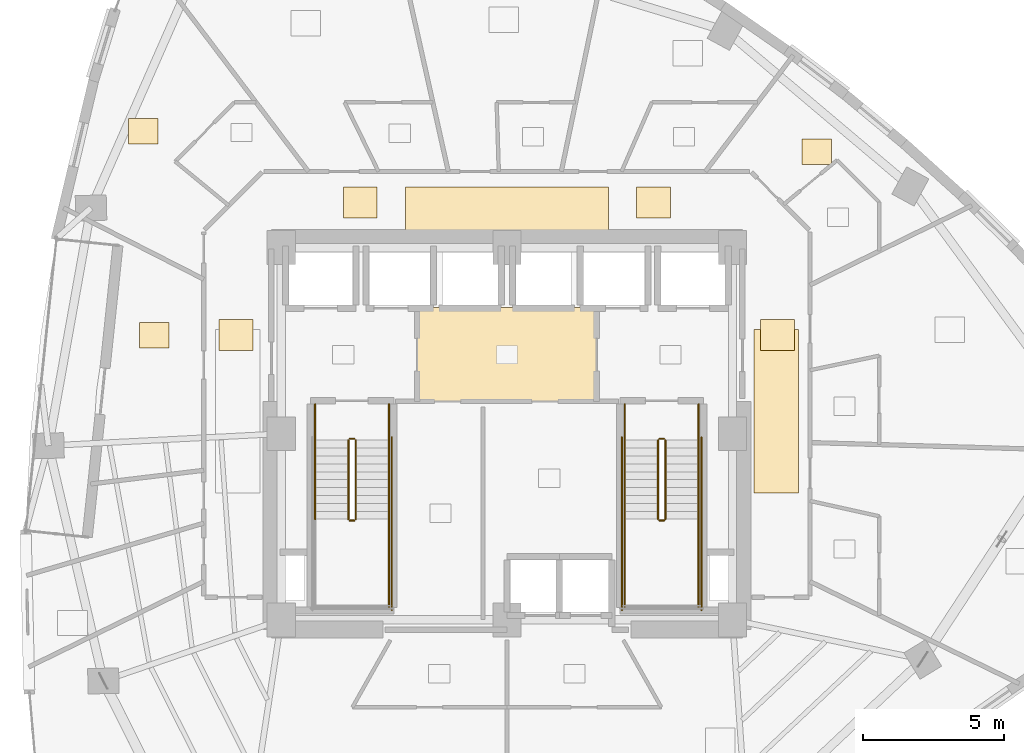
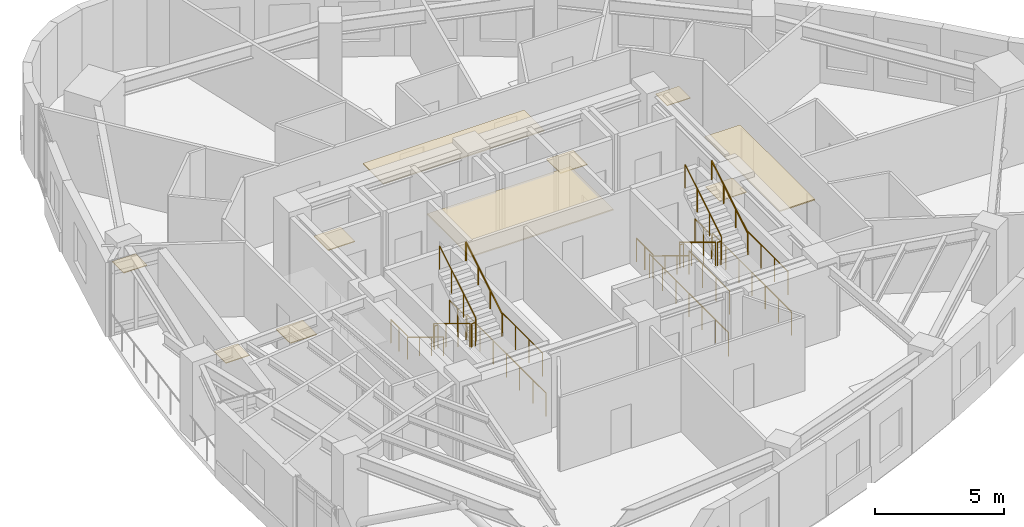
# One storey, part 15 of 16: 22 railings, 10 coverings.
"""IFC4 building model written with IfcOpenShell, lengths in metres."""

import ifcopenshell
import ifcopenshell.guid

model = None  # the IFC model being written
_history = None  # IfcOwnerHistory: only IFC2X3 demands one
_inside = {}  # id of a spatial element -> (the spatial element, [elements in it])
_under = {}  # id of a project, library or spatial element -> (it, [spatial elements below it])
_declared = {}  # id of a project -> (the project, [libraries it declares])
_typed = {}  # id of a type object -> (the type object, [elements of that type])
_made_of = {}  # id of a material, layer set ... -> (it, [elements and type objects made of it])


def new_model(schema):
    """Start an empty IFC model of exactly this schema.

    Asked for "IFC4X3", IfcOpenShell would pick the latest addendum, in which some entities
    have other attributes; the version numbers below select the first issue.
    IFC2X3 requires an IfcOwnerHistory on every rooted entity: one is made here for all.
    """
    global model, _history
    if schema == "IFC4X3":
        model = ifcopenshell.file(schema_version=(4, 3, 0, 0))
    else:
        model = ifcopenshell.file(schema=schema)
    _inside.clear()
    _under.clear()
    _declared.clear()
    _typed.clear()
    _made_of.clear()
    _history = None
    if model.schema == "IFC2X3":
        org = make("IfcOrganization", Name="unknown")
        user = make(
            "IfcPersonAndOrganization",
            ThePerson=make("IfcPerson", FamilyName="unknown"),
            TheOrganization=org,
        )
        app = make(
            "IfcApplication",
            ApplicationDeveloper=org,
            Version="unknown",
            ApplicationFullName="unknown",
            ApplicationIdentifier="unknown",
        )
        _history = make(
            "IfcOwnerHistory",
            OwningUser=user,
            OwningApplication=app,
            ChangeAction="ADDED",
            CreationDate=0,
        )
    return model


def make(cls, **values):
    """One entity of the class cls with the attributes given. An attribute that is None is left unset."""
    return model.create_entity(
        cls, **{name: value for name, value in values.items() if value is not None}
    )


def rooted(cls, **values):
    """An entity with a GlobalId (a new one), such as an element, a storey or a relation."""
    return make(cls, GlobalId=ifcopenshell.guid.new(), OwnerHistory=_history, **values)


def si_unit(unit_type, name, prefix=None):
    """IfcSIUnit, for example si_unit("LENGTHUNIT", "METRE", prefix="MILLI")."""
    return make("IfcSIUnit", UnitType=unit_type, Prefix=prefix, Name=name)


def assignment(units):
    """IfcUnitAssignment: the units of a project."""
    return None if units is None else make("IfcUnitAssignment", Units=units)


def point(xyz):
    """IfcCartesianPoint."""
    return None if xyz is None else make("IfcCartesianPoint", Coordinates=xyz)


def direction(xyz):
    """IfcDirection."""
    return None if xyz is None else make("IfcDirection", DirectionRatios=xyz)


def frame(location, z_axis=None, x_axis=None):
    """IfcAxis2Placement3D, a coordinate frame: its origin and axes. An axis left out is left unset."""
    return make(
        "IfcAxis2Placement3D",
        Location=point(location),
        Axis=direction(z_axis),
        RefDirection=direction(x_axis),
    )


def frame_2d(location, x_axis=None):
    """IfcAxis2Placement2D, a coordinate frame in the plane: its origin and x axis."""
    return make(
        "IfcAxis2Placement2D", Location=point(location), RefDirection=direction(x_axis)
    )


def origin():
    """The frame at (0, 0, 0) with its axes left unset."""
    return frame((0.0, 0.0, 0.0))


def origin_2d():
    """The frame at (0, 0) in the plane with its x axis left unset."""
    return frame_2d((0.0, 0.0))


def place(relative_to, where):
    """IfcLocalPlacement: puts the frame where relative to a parent placement (None: the world)."""
    return make(
        "IfcLocalPlacement", PlacementRelTo=relative_to, RelativePlacement=where
    )


def context(
    kind, dimensions, precision=None, world=None, true_north=None, identifier=None
):
    """IfcGeometricRepresentationContext, for example the 3D "Model" context."""
    return make(
        "IfcGeometricRepresentationContext",
        ContextIdentifier=identifier,
        ContextType=kind,
        CoordinateSpaceDimension=dimensions,
        Precision=precision,
        WorldCoordinateSystem=world,
        TrueNorth=true_north,
    )


def subcontext(parent, identifier, kind, view, scale=None):
    """IfcGeometricRepresentationSubContext, for example "Body" below "Model"."""
    return make(
        "IfcGeometricRepresentationSubContext",
        ContextIdentifier=identifier,
        ContextType=kind,
        ParentContext=parent,
        TargetScale=scale,
        TargetView=view,
    )


def project(units=None, contexts=None):
    """IfcProject with its units and contexts."""
    return rooted(
        "IfcProject",
        Name="project",
        RepresentationContexts=contexts,
        UnitsInContext=assignment(units),
    )


def spatial(cls, under=None, at=None, **own):
    """A site, building, storey or space (cls), placed at a placement, below another one or the project."""
    s = rooted(cls, ObjectPlacement=at, **own)
    if under is not None:
        _under.setdefault(under.id(), (under, []))[1].append(s)
    return s


def profile(cls, at=None, kind="AREA", **sizes):
    """A parametric profile (cls). Its sizes go by their IFC names, for example OverallWidth=200.0."""
    return make(cls, ProfileType=kind, Position=at, **sizes)


def rectangle(**sizes):
    """IfcRectangleProfileDef."""
    return profile("IfcRectangleProfileDef", **sizes)


def circle(**sizes):
    """IfcCircleProfileDef."""
    return profile("IfcCircleProfileDef", **sizes)


def extrude(swept, where, along, depth):
    """IfcExtrudedAreaSolid: the profile swept, set in the frame where, extruded along a direction by depth."""
    return make(
        "IfcExtrudedAreaSolid",
        SweptArea=swept,
        Position=where,
        ExtrudedDirection=direction(along),
        Depth=depth,
    )


def shape(context_of_items, identifier, shape_type, items):
    """IfcShapeRepresentation: the items that make up one representation, for example the "Body"."""
    return make(
        "IfcShapeRepresentation",
        ContextOfItems=context_of_items,
        RepresentationIdentifier=identifier,
        RepresentationType=shape_type,
        Items=items,
    )


def material(Name=None, Category=None):
    """IfcMaterial."""
    return make("IfcMaterial", Name=Name, Category=Category)


def layer(
    of_material, thickness, ventilated=None, Name=None, Category=None, Priority=None
):
    """IfcMaterialLayer: one layer of a wall or slab, of a material (None: an air gap)."""
    return make(
        "IfcMaterialLayer",
        Material=of_material,
        LayerThickness=thickness,
        IsVentilated=ventilated,
        Name=Name,
        Category=Category,
        Priority=Priority,
    )


def layer_set(layers, Name=None):
    """IfcMaterialLayerSet."""
    return make("IfcMaterialLayerSet", MaterialLayers=layers, LayerSetName=Name)


def made_of(thing, what):
    """Note that an element or type object is made of a material, layer set ...; save() writes the relation."""
    if what is not None:
        _made_of.setdefault(what.id(), (what, []))[1].append(thing)
    return thing


def type_object(cls, material=None, **own):
    """A type object (cls), such as IfcWallType, which elements share."""
    return made_of(rooted(cls, **own), material)


def element(
    cls,
    number,
    at=None,
    inside=None,
    cuts=None,
    type_object=None,
    material=None,
    context=None,
    identifier="Body",
    shape_type=None,
    held_by="IfcProductDefinitionShape",
    body=None,
    shapes=None,
    **own,
):
    """One element of the class cls, such as IfcWall. Its Tag is "e" and its number.

    at: its placement. inside: the storey or other place that contains it. cuts: it is an
    opening in that element (IfcRelVoidsElement). A single representation is given by context,
    identifier, shape_type and body (its items); several are given by shapes. held_by: the class
    of the entity that holds the representations. save() writes the other relations.
    """
    e = rooted(cls, Tag="e%d" % number, ObjectPlacement=at, **own)
    if body is not None:
        shapes = [shape(context, identifier, shape_type, body)]
    if shapes is not None:
        e.Representation = make(held_by, Representations=shapes)
    if inside is not None:
        _inside.setdefault(inside.id(), (inside, []))[1].append(e)
    if cuts is not None:
        rooted(
            "IfcRelVoidsElement", RelatingBuildingElement=cuts, RelatedOpeningElement=e
        )
    if type_object is not None:
        _typed.setdefault(type_object.id(), (type_object, []))[1].append(e)
    return made_of(e, material)


def aggregate(whole, parts):
    """IfcRelAggregates: a whole, such as a stair, and the parts it consists of."""
    return rooted("IfcRelAggregates", RelatingObject=whole, RelatedObjects=parts)


def save(model, path):
    """Write the relations noted so far, then the file.

    IfcRelAggregates (storeys below a building ...), IfcRelContainedInSpatialStructure (elements
    in a storey), IfcRelDefinesByType, IfcRelAssociatesMaterial and IfcRelDeclares: one each for
    every whole, place, type object, material and project.
    """
    for whole, parts in _under.values():
        aggregate(whole, parts)
    for where, things in _inside.values():
        rooted(
            "IfcRelContainedInSpatialStructure",
            RelatedElements=things,
            RelatingStructure=where,
        )
    for kind, things in _typed.values():
        rooted("IfcRelDefinesByType", RelatedObjects=things, RelatingType=kind)
    for what, things in _made_of.values():
        rooted("IfcRelAssociatesMaterial", RelatedObjects=things, RelatingMaterial=what)
    for by, libraries in _declared.values():
        rooted("IfcRelDeclares", RelatingContext=by, RelatedDefinitions=libraries)
    model.write(path)


model = new_model("IFC4")

# Units and contexts
model_context = context("Model", 3, precision=1e-05, world=origin(), true_north=direction((0.0, 1.0)))
body_context = subcontext(model_context, "Body", "Model", "MODEL_VIEW")
ifc_project = project(units=[si_unit("LENGTHUNIT", "METRE"), si_unit("AREAUNIT", "SQUARE_METRE"), si_unit("VOLUMEUNIT", "CUBIC_METRE"), si_unit("PLANEANGLEUNIT", "RADIAN"), si_unit("MASSUNIT", "GRAM", prefix="KILO")], contexts=[model_context])

# Site, building, storey
site_placement = place(None, origin())
site = spatial("IfcSite", under=ifc_project, at=site_placement, CompositionType="ELEMENT")
building_placement = place(site_placement, origin())
building = spatial("IfcBuilding", under=site, at=building_placement, Name="Ndelora Gate Hotel", CompositionType="ELEMENT")
storey_placement = place(building_placement, frame((0.0, 0.0, 97.25)))
storey = spatial("IfcBuildingStorey", under=building, at=storey_placement, Name="L23", CompositionType="ELEMENT", Elevation=97.25)

# Coverings
ifc_material_1 = material(Name="Perforated Acoustic Gypsum Board", Category="gypsum")
ifc_layer_1 = layer(ifc_material_1, 0.054931640625)
ifc_layer_set_1 = layer_set([ifc_layer_1], Name="Perforated Acoustic Gypsum Board")
covering_type_1 = type_object("IfcCoveringType", Name="COV-CEIL-AC60", PredefinedType="CEILING", material=ifc_layer_set_1)
covering_1_placement = place(storey_placement, frame((0.0, 2.800048828125, 2.72265625), z_axis=(0.0, 0.0, 1.0), x_axis=(1.0, 0.0, 0.0)))
element("IfcCovering", 1, at=covering_1_placement, inside=storey, type_object=covering_type_1, Name="L23 Lift Lobby Acoustic Ceiling", PredefinedType="CEILING", context=body_context, shape_type="SweptSolid", body=[
    extrude(rectangle(XDim=6.39990234375, YDim=3.340087890625, at=origin_2d()), origin(), (0.0, 0.0, 1.0), 0.054931640625),
])
covering_2_placement = place(storey_placement, frame((0.0, 7.9599609375, 2.65234375), z_axis=(0.0, 0.0, 1.0), x_axis=(1.0, 0.0, 0.0)))
element("IfcCovering", 2, at=covering_2_placement, inside=storey, type_object=covering_type_1, Name="L23 Guest Corridor Acoustic Ceiling N", PredefinedType="CEILING", context=body_context, shape_type="SweptSolid", body=[
    extrude(rectangle(XDim=7.199951171875, YDim=1.580078125, at=origin_2d()), origin(), (0.0, 0.0, 1.0), 0.054931640625),
])
covering_3_placement = place(storey_placement, frame((9.550048828125, 0.800048828125, 2.65234375), z_axis=(0.0, 0.0, 1.0), x_axis=(1.0, 0.0, 0.0)))
element("IfcCovering", 3, at=covering_3_placement, inside=storey, type_object=covering_type_1, Name="L23 Guest Corridor Acoustic Ceiling E", PredefinedType="CEILING", context=body_context, shape_type="SweptSolid", body=[
    extrude(rectangle(XDim=1.580078125, YDim=5.800048828125, at=origin_2d()), origin(), (0.0, 0.0, 1.0), 0.054931640625),
])
ifc_material_2 = material(Name="Engineered Highland Oak Parquet", Category="wood")
ifc_layer_2 = layer(ifc_material_2, 0.030029296875)
ifc_layer_set_2 = layer_set([ifc_layer_2], Name="Engineered Highland Oak Parquet")
covering_type_2 = type_object("IfcCoveringType", Name="COV-FLR-PARQ", PredefinedType="FLOORING", material=ifc_layer_set_2)
for number, where, z_axis, x_axis, name in (
    (4, (10.98388671875, 9.997314453125, 0.0), (0.0, 0.0, 1.0), (1.0, 0.0, 0.0), "L23 South Reclaimed Club Suite 2605 Oak Parquet Flooring"),
    (5, (-12.8896484375, 10.730224609375, 0.0), (0.0, 0.0, 1.0), (1.0, 0.0, 0.0), "L23 Club King Guest Room 2609 Oak Parquet Flooring"),
    (6, (-12.505615234375, 3.489501953125, 0.0), (0.0, 0.0, 1.0), (1.0, 0.0, 0.0), "L23 Sky Garden Tea Dining Room Oak Parquet Flooring"),
):
    element("IfcCovering", number, at=place(storey_placement, frame(where, z_axis=z_axis, x_axis=x_axis)), inside=storey, type_object=covering_type_2, Name=name, PredefinedType="FLOORING", context=body_context, shape_type="SweptSolid", body=[
        extrude(rectangle(XDim=1.050048828125, YDim=0.89990234375, at=origin_2d()), origin(), (0.0, 0.0, 1.0), 0.030029296875),
    ])
ifc_material_3 = material(Name="Polished Highland Stone Terrazzo", Category="masonry")
ifc_layer_3 = layer(ifc_material_3, 0.034912109375)
ifc_layer_set_3 = layer_set([ifc_layer_3], Name="Polished Highland Stone Terrazzo")
covering_type_3 = type_object("IfcCoveringType", Name="COV-FLR-TERZ", PredefinedType="FLOORING", material=ifc_layer_set_3)
for number, where, z_axis, x_axis, name in (
    (7, (-5.199951171875, 8.199951171875, 0.0), (0.0, 0.0, 1.0), (1.0, 0.0, 0.0), "L23 Corridor Threshold Terrazzo Inlay NW"),
    (8, (5.199951171875, 8.199951171875, 0.0), (0.0, 0.0, 1.0), (1.0, 0.0, 0.0), "L23 Corridor Threshold Terrazzo Inlay NE"),
    (9, (-9.60009765625, 3.5, 0.0), (0.0, 0.0, 1.0), (1.0, 0.0, 0.0), "L23 Corridor Threshold Terrazzo Inlay W"),
    (10, (9.60009765625, 3.5, 0.0), (0.0, 0.0, 1.0), (1.0, 0.0, 0.0), "L23 Corridor Threshold Terrazzo Inlay E"),
):
    element("IfcCovering", number, at=place(storey_placement, frame(where, z_axis=z_axis, x_axis=x_axis)), inside=storey, type_object=covering_type_3, Name=name, PredefinedType="FLOORING", context=body_context, shape_type="SweptSolid", body=[
        extrude(rectangle(XDim=1.199951171875, YDim=1.10009765625, at=origin_2d()), origin(), (0.0, 0.0, 1.0), 0.034912109375),
    ])

# Railings
ifc_material_4 = material(Name="Painted Galvanized Steel Balustrade", Category="steel")
ifc_layer_4 = layer(ifc_material_4, 0.06005859375)
ifc_layer_set_4 = layer_set([ifc_layer_4], Name="Painted Galvanized Steel Balustrade")
railing_type_1 = type_object("IfcRailingType", Name="RL-STAIR-GD", PredefinedType="GUARDRAIL", material=ifc_layer_set_4)
railing_1_placement = place(storey_placement, frame((-5.6201171875, -0.22998046875, 0.17041015625)))
element("IfcRailing", 11, at=railing_1_placement, inside=storey, type_object=railing_type_1, Name="L23 ST4 stair guard 1", PredefinedType="GUARDRAIL", context=body_context, shape_type="SweptSolid", body=[
    extrude(circle(Radius=0.02392578125, at=origin_2d()), frame((0.0, 0.0, 1.10595703125), z_axis=(0.0, -0.854169791009, 0.51999420009), x_axis=(1.0, 0.0, 0.0)), (0.0, 0.0, 1.0), 3.278076171875),
    extrude(circle(Radius=0.02099609375, at=origin_2d()), origin(), (0.0, 0.0, 1.0), 1.081787109375),
    extrude(circle(Radius=0.02099609375, at=origin_2d()), frame((0.0, -0.933349609375, 0.568115234375)), (0.0, 0.0, 1.0), 1.081787109375),
    extrude(circle(Radius=0.02099609375, at=origin_2d()), frame((0.0, -1.86669921875, 1.136474609375)), (0.0, 0.0, 1.0), 1.081787109375),
    extrude(circle(Radius=0.02099609375, at=origin_2d()), frame((0.0, -2.800048828125, 1.70458984375)), (0.0, 0.0, 1.0), 1.081787109375),
])
railing_2_placement = place(storey_placement, frame((-5.570068359375, -3.080078125, 1.875)))
element("IfcRailing", 12, at=railing_2_placement, inside=storey, type_object=railing_type_1, Name="L23 ST4 stair guard 2", PredefinedType="GUARDRAIL", context=body_context, shape_type="SweptSolid", body=[
    extrude(circle(Radius=0.02392578125, at=origin_2d()), frame((0.0, 0.0, 1.10595703125), z_axis=(1.0, 0.0, 0.0), x_axis=(0.0, 1.0, 0.0)), (0.0, 0.0, 1.0), 0.16015625),
    extrude(circle(Radius=0.02099609375, at=origin_2d()), origin(), (0.0, 0.0, 1.0), 1.081787109375),
    extrude(circle(Radius=0.02099609375, at=origin_2d()), frame((0.16015625, 0.0, 0.0)), (0.0, 0.0, 1.0), 1.081787109375),
])
railing_3_placement = place(storey_placement, frame((-4.179931640625, -3.030029296875, 1.875)))
element("IfcRailing", 13, at=railing_3_placement, inside=storey, type_object=railing_type_1, Name="L23 ST4 stair guard 4", PredefinedType="GUARDRAIL", context=body_context, shape_type="SweptSolid", body=[
    extrude(circle(Radius=0.02392578125, at=origin_2d()), frame((0.0, 0.0, 1.10595703125), z_axis=(0.0, -1.0, 0.0), x_axis=(1.0, 0.0, 0.0)), (0.0, 0.0, 1.0), 3.119873046875),
    extrude(circle(Radius=0.02099609375, at=origin_2d()), origin(), (0.0, 0.0, 1.0), 1.081787109375),
    extrude(circle(Radius=0.02099609375, at=origin_2d()), frame((0.0, -1.0400390625, 0.0)), (0.0, 0.0, 1.0), 1.081787109375),
    extrude(circle(Radius=0.02099609375, at=origin_2d()), frame((0.0, -2.079833984375, 0.0)), (0.0, 0.0, 1.0), 1.081787109375),
    extrude(circle(Radius=0.02099609375, at=origin_2d()), frame((0.0, -3.119873046875, 0.0)), (0.0, 0.0, 1.0), 1.081787109375),
])
railing_4_placement = place(storey_placement, frame((-5.360107421875, -3.030029296875, 2.04541015625)))
element("IfcRailing", 14, at=railing_4_placement, inside=storey, type_object=railing_type_1, Name="L23 ST4 stair guard 6", PredefinedType="GUARDRAIL", context=body_context, shape_type="SweptSolid", body=[
    extrude(circle(Radius=0.02392578125, at=origin_2d()), frame((0.0, 0.0, 1.10595703125), z_axis=(0.0, 0.854169791009, 0.51999420009), x_axis=(-1.0, 0.0, 0.0)), (0.0, 0.0, 1.0), 3.278076171875),
    extrude(circle(Radius=0.02099609375, at=origin_2d()), origin(), (0.0, 0.0, 1.0), 1.081787109375),
    extrude(circle(Radius=0.02099609375, at=origin_2d()), frame((0.0, 0.933349609375, 0.568115234375)), (0.0, 0.0, 1.0), 1.081787109375),
    extrude(circle(Radius=0.02099609375, at=origin_2d()), frame((0.0, 1.86669921875, 1.136474609375)), (0.0, 0.0, 1.0), 1.081787109375),
    extrude(circle(Radius=0.02099609375, at=origin_2d()), frame((0.0, 2.800048828125, 1.70458984375)), (0.0, 0.0, 1.0), 1.081787109375),
])
railing_5_placement = place(storey_placement, frame((-5.570068359375, -0.179931640625, 0.0)))
element("IfcRailing", 15, at=railing_5_placement, inside=storey, type_object=railing_type_1, Name="L23 ST4 stair guard 7", PredefinedType="GUARDRAIL", context=body_context, shape_type="SweptSolid", body=[
    extrude(circle(Radius=0.02392578125, at=origin_2d()), frame((0.0, 0.0, 1.10595703125), z_axis=(1.0, 0.0, 0.0), x_axis=(0.0, 1.0, 0.0)), (0.0, 0.0, 1.0), 0.16015625),
    extrude(circle(Radius=0.02099609375, at=origin_2d()), origin(), (0.0, 0.0, 1.0), 1.081787109375),
    extrude(circle(Radius=0.02099609375, at=origin_2d()), frame((0.16015625, 0.0, 0.0)), (0.0, 0.0, 1.0), 1.081787109375),
])
for number, where, name in (
    (16, (-6.800048828125, 1.050048828125, 0.0), "L23 ST4 stair guard 8"),
    (17, (-4.179931640625, 1.050048828125, 0.0), "L23 ST4 stair guard 9"),
):
    element("IfcRailing", number, at=place(storey_placement, frame(where)), inside=storey, type_object=railing_type_1, Name=name, PredefinedType="GUARDRAIL", context=body_context, shape_type="SweptSolid", body=[
        extrude(circle(Radius=0.02392578125, at=origin_2d()), frame((0.0, 0.0, 1.10595703125), z_axis=(0.0, -1.0, 0.0), x_axis=(1.0, 0.0, 0.0)), (0.0, 0.0, 1.0), 1.280029296875),
        extrude(circle(Radius=0.02099609375, at=origin_2d()), origin(), (0.0, 0.0, 1.0), 1.081787109375),
        extrude(circle(Radius=0.02099609375, at=origin_2d()), frame((0.0, -0.64013671875, 0.0)), (0.0, 0.0, 1.0), 1.081787109375),
        extrude(circle(Radius=0.02099609375, at=origin_2d()), frame((0.0, -1.280029296875, 0.0)), (0.0, 0.0, 1.0), 1.081787109375),
    ])
railing_6_placement = place(storey_placement, frame((-4.080078125, -0.1298828125, 0.0)))
element("IfcRailing", 18, at=railing_6_placement, inside=storey, type_object=railing_type_1, Name="L23 ST4 stair guard 11", PredefinedType="GUARDRAIL", context=body_context, shape_type="SweptSolid", body=[
    extrude(circle(Radius=0.02392578125, at=origin_2d()), frame((0.0, 0.0, 1.10595703125), z_axis=(0.0, -1.0, 0.0), x_axis=(1.0, 0.0, 0.0)), (0.0, 0.0, 1.0), 6.1201171875),
    extrude(circle(Radius=0.02099609375, at=origin_2d()), origin(), (0.0, 0.0, 1.0), 1.081787109375),
    extrude(circle(Radius=0.02099609375, at=origin_2d()), frame((0.0, -1.02001953125, 0.0)), (0.0, 0.0, 1.0), 1.081787109375),
    extrude(circle(Radius=0.02099609375, at=origin_2d()), frame((0.0, -2.0400390625, 0.0)), (0.0, 0.0, 1.0), 1.081787109375),
    extrude(circle(Radius=0.02099609375, at=origin_2d()), frame((0.0, -3.06005859375, 0.0)), (0.0, 0.0, 1.0), 1.081787109375),
    extrude(circle(Radius=0.02099609375, at=origin_2d()), frame((0.0, -4.080078125, 0.0)), (0.0, 0.0, 1.0), 1.081787109375),
    extrude(circle(Radius=0.02099609375, at=origin_2d()), frame((0.0, -5.10009765625, 0.0)), (0.0, 0.0, 1.0), 1.081787109375),
    extrude(circle(Radius=0.02099609375, at=origin_2d()), frame((0.0, -6.1201171875, 0.0)), (0.0, 0.0, 1.0), 1.081787109375),
])
railing_7_placement = place(storey_placement, frame((5.360107421875, -0.22998046875, 0.17041015625)))
element("IfcRailing", 19, at=railing_7_placement, inside=storey, type_object=railing_type_1, Name="L23 ST5 stair guard 1", PredefinedType="GUARDRAIL", context=body_context, shape_type="SweptSolid", body=[
    extrude(circle(Radius=0.02392578125, at=origin_2d()), frame((0.0, 0.0, 1.10595703125), z_axis=(0.0, -0.854169791009, 0.51999420009), x_axis=(1.0, 0.0, 0.0)), (0.0, 0.0, 1.0), 3.278076171875),
    extrude(circle(Radius=0.02099609375, at=origin_2d()), origin(), (0.0, 0.0, 1.0), 1.081787109375),
    extrude(circle(Radius=0.02099609375, at=origin_2d()), frame((0.0, -0.933349609375, 0.568115234375)), (0.0, 0.0, 1.0), 1.081787109375),
    extrude(circle(Radius=0.02099609375, at=origin_2d()), frame((0.0, -1.86669921875, 1.136474609375)), (0.0, 0.0, 1.0), 1.081787109375),
    extrude(circle(Radius=0.02099609375, at=origin_2d()), frame((0.0, -2.800048828125, 1.70458984375)), (0.0, 0.0, 1.0), 1.081787109375),
])
railing_8_placement = place(storey_placement, frame((5.409912109375, -3.080078125, 1.875)))
element("IfcRailing", 20, at=railing_8_placement, inside=storey, type_object=railing_type_1, Name="L23 ST5 stair guard 2", PredefinedType="GUARDRAIL", context=body_context, shape_type="SweptSolid", body=[
    extrude(circle(Radius=0.02392578125, at=origin_2d()), frame((0.0, 0.0, 1.10595703125), z_axis=(1.0, 0.0, 0.0), x_axis=(0.0, 1.0, 0.0)), (0.0, 0.0, 1.0), 0.16015625),
    extrude(circle(Radius=0.02099609375, at=origin_2d()), origin(), (0.0, 0.0, 1.0), 1.081787109375),
    extrude(circle(Radius=0.02099609375, at=origin_2d()), frame((0.16015625, 0.0, 0.0)), (0.0, 0.0, 1.0), 1.081787109375),
])
for number, where, name in (
    (21, (4.179931640625, -3.030029296875, 1.875), "L23 ST5 stair guard 3"),
    (22, (6.800048828125, -3.030029296875, 1.875), "L23 ST5 stair guard 4"),
):
    element("IfcRailing", number, at=place(storey_placement, frame(where)), inside=storey, type_object=railing_type_1, Name=name, PredefinedType="GUARDRAIL", context=body_context, shape_type="SweptSolid", body=[
        extrude(circle(Radius=0.02392578125, at=origin_2d()), frame((0.0, 0.0, 1.10595703125), z_axis=(0.0, -1.0, 0.0), x_axis=(1.0, 0.0, 0.0)), (0.0, 0.0, 1.0), 3.119873046875),
        extrude(circle(Radius=0.02099609375, at=origin_2d()), origin(), (0.0, 0.0, 1.0), 1.081787109375),
        extrude(circle(Radius=0.02099609375, at=origin_2d()), frame((0.0, -1.0400390625, 0.0)), (0.0, 0.0, 1.0), 1.081787109375),
        extrude(circle(Radius=0.02099609375, at=origin_2d()), frame((0.0, -2.079833984375, 0.0)), (0.0, 0.0, 1.0), 1.081787109375),
        extrude(circle(Radius=0.02099609375, at=origin_2d()), frame((0.0, -3.119873046875, 0.0)), (0.0, 0.0, 1.0), 1.081787109375),
    ])
railing_9_placement = place(storey_placement, frame((5.6201171875, -3.030029296875, 2.04541015625)))
element("IfcRailing", 23, at=railing_9_placement, inside=storey, type_object=railing_type_1, Name="L23 ST5 stair guard 6", PredefinedType="GUARDRAIL", context=body_context, shape_type="SweptSolid", body=[
    extrude(circle(Radius=0.02392578125, at=origin_2d()), frame((0.0, 0.0, 1.10595703125), z_axis=(0.0, 0.854169791009, 0.51999420009), x_axis=(-1.0, 0.0, 0.0)), (0.0, 0.0, 1.0), 3.278076171875),
    extrude(circle(Radius=0.02099609375, at=origin_2d()), origin(), (0.0, 0.0, 1.0), 1.081787109375),
    extrude(circle(Radius=0.02099609375, at=origin_2d()), frame((0.0, 0.933349609375, 0.568115234375)), (0.0, 0.0, 1.0), 1.081787109375),
    extrude(circle(Radius=0.02099609375, at=origin_2d()), frame((0.0, 1.86669921875, 1.136474609375)), (0.0, 0.0, 1.0), 1.081787109375),
    extrude(circle(Radius=0.02099609375, at=origin_2d()), frame((0.0, 2.800048828125, 1.70458984375)), (0.0, 0.0, 1.0), 1.081787109375),
])
railing_10_placement = place(storey_placement, frame((5.409912109375, -0.179931640625, 0.0)))
element("IfcRailing", 24, at=railing_10_placement, inside=storey, type_object=railing_type_1, Name="L23 ST5 stair guard 7", PredefinedType="GUARDRAIL", context=body_context, shape_type="SweptSolid", body=[
    extrude(circle(Radius=0.02392578125, at=origin_2d()), frame((0.0, 0.0, 1.10595703125), z_axis=(1.0, 0.0, 0.0), x_axis=(0.0, 1.0, 0.0)), (0.0, 0.0, 1.0), 0.16015625),
    extrude(circle(Radius=0.02099609375, at=origin_2d()), origin(), (0.0, 0.0, 1.0), 1.081787109375),
    extrude(circle(Radius=0.02099609375, at=origin_2d()), frame((0.16015625, 0.0, 0.0)), (0.0, 0.0, 1.0), 1.081787109375),
])
for number, where, name in (
    (25, (4.179931640625, 1.050048828125, 0.0), "L23 ST5 stair guard 8"),
    (26, (6.800048828125, 1.050048828125, 0.0), "L23 ST5 stair guard 9"),
):
    element("IfcRailing", number, at=place(storey_placement, frame(where)), inside=storey, type_object=railing_type_1, Name=name, PredefinedType="GUARDRAIL", context=body_context, shape_type="SweptSolid", body=[
        extrude(circle(Radius=0.02392578125, at=origin_2d()), frame((0.0, 0.0, 1.10595703125), z_axis=(0.0, -1.0, 0.0), x_axis=(1.0, 0.0, 0.0)), (0.0, 0.0, 1.0), 1.280029296875),
        extrude(circle(Radius=0.02099609375, at=origin_2d()), origin(), (0.0, 0.0, 1.0), 1.081787109375),
        extrude(circle(Radius=0.02099609375, at=origin_2d()), frame((0.0, -0.64013671875, 0.0)), (0.0, 0.0, 1.0), 1.081787109375),
        extrude(circle(Radius=0.02099609375, at=origin_2d()), frame((0.0, -1.280029296875, 0.0)), (0.0, 0.0, 1.0), 1.081787109375),
    ])
for number, where, name in (
    (27, (4.080078125, -0.1298828125, 0.0), "L23 ST5 stair guard 10"),
    (28, (6.89990234375, -0.1298828125, 0.0), "L23 ST5 stair guard 11"),
):
    element("IfcRailing", number, at=place(storey_placement, frame(where)), inside=storey, type_object=railing_type_1, Name=name, PredefinedType="GUARDRAIL", context=body_context, shape_type="SweptSolid", body=[
        extrude(circle(Radius=0.02392578125, at=origin_2d()), frame((0.0, 0.0, 1.10595703125), z_axis=(0.0, -1.0, 0.0), x_axis=(1.0, 0.0, 0.0)), (0.0, 0.0, 1.0), 6.1201171875),
        extrude(circle(Radius=0.02099609375, at=origin_2d()), origin(), (0.0, 0.0, 1.0), 1.081787109375),
        extrude(circle(Radius=0.02099609375, at=origin_2d()), frame((0.0, -1.02001953125, 0.0)), (0.0, 0.0, 1.0), 1.081787109375),
        extrude(circle(Radius=0.02099609375, at=origin_2d()), frame((0.0, -2.0400390625, 0.0)), (0.0, 0.0, 1.0), 1.081787109375),
        extrude(circle(Radius=0.02099609375, at=origin_2d()), frame((0.0, -3.06005859375, 0.0)), (0.0, 0.0, 1.0), 1.081787109375),
        extrude(circle(Radius=0.02099609375, at=origin_2d()), frame((0.0, -4.080078125, 0.0)), (0.0, 0.0, 1.0), 1.081787109375),
        extrude(circle(Radius=0.02099609375, at=origin_2d()), frame((0.0, -5.10009765625, 0.0)), (0.0, 0.0, 1.0), 1.081787109375),
        extrude(circle(Radius=0.02099609375, at=origin_2d()), frame((0.0, -6.1201171875, 0.0)), (0.0, 0.0, 1.0), 1.081787109375),
    ])
ifc_material_5 = material(Name="Brushed Stainless Steel 316", Category="steel")
ifc_layer_5 = layer(ifc_material_5, 0.050048828125)
ifc_layer_set_5 = layer_set([ifc_layer_5], Name="Brushed Stainless Steel 316")
railing_type_2 = type_object("IfcRailingType", Name="RL-STAIR-HR", PredefinedType="HANDRAIL", material=ifc_layer_set_5)
railing_11_placement = place(storey_placement, frame((-6.800048828125, -0.22998046875, 0.17041015625)))
element("IfcRailing", 29, at=railing_11_placement, inside=storey, type_object=railing_type_2, Name="L23 ST4 stair handrail 1", PredefinedType="HANDRAIL", context=body_context, shape_type="SweptSolid", body=[
    extrude(circle(Radius=0.02392578125, at=origin_2d()), frame((0.0, 0.0, 0.8759765625), z_axis=(0.0, -0.854169791009, 0.51999420009), x_axis=(1.0, 0.0, 0.0)), (0.0, 0.0, 1.0), 3.278076171875),
    extrude(circle(Radius=0.02099609375, at=origin_2d()), origin(), (0.0, 0.0, 1.0), 0.851806640625),
    extrude(circle(Radius=0.02099609375, at=origin_2d()), frame((0.0, -0.933349609375, 0.568115234375)), (0.0, 0.0, 1.0), 0.851806640625),
    extrude(circle(Radius=0.02099609375, at=origin_2d()), frame((0.0, -1.86669921875, 1.136474609375)), (0.0, 0.0, 1.0), 0.851806640625),
    extrude(circle(Radius=0.02099609375, at=origin_2d()), frame((0.0, -2.800048828125, 1.70458984375)), (0.0, 0.0, 1.0), 0.851806640625),
])
railing_12_placement = place(storey_placement, frame((-4.179931640625, -3.030029296875, 2.04541015625)))
element("IfcRailing", 30, at=railing_12_placement, inside=storey, type_object=railing_type_2, Name="L23 ST4 stair handrail 2", PredefinedType="HANDRAIL", context=body_context, shape_type="SweptSolid", body=[
    extrude(circle(Radius=0.02392578125, at=origin_2d()), frame((0.0, 0.0, 0.8759765625), z_axis=(0.0, 0.854169791009, 0.51999420009), x_axis=(-1.0, 0.0, 0.0)), (0.0, 0.0, 1.0), 3.278076171875),
    extrude(circle(Radius=0.02099609375, at=origin_2d()), origin(), (0.0, 0.0, 1.0), 0.851806640625),
    extrude(circle(Radius=0.02099609375, at=origin_2d()), frame((0.0, 0.933349609375, 0.568115234375)), (0.0, 0.0, 1.0), 0.851806640625),
    extrude(circle(Radius=0.02099609375, at=origin_2d()), frame((0.0, 1.86669921875, 1.136474609375)), (0.0, 0.0, 1.0), 0.851806640625),
    extrude(circle(Radius=0.02099609375, at=origin_2d()), frame((0.0, 2.800048828125, 1.70458984375)), (0.0, 0.0, 1.0), 0.851806640625),
])
railing_13_placement = place(storey_placement, frame((4.179931640625, -0.22998046875, 0.17041015625)))
element("IfcRailing", 31, at=railing_13_placement, inside=storey, type_object=railing_type_2, Name="L23 ST5 stair handrail 1", PredefinedType="HANDRAIL", context=body_context, shape_type="SweptSolid", body=[
    extrude(circle(Radius=0.02392578125, at=origin_2d()), frame((0.0, 0.0, 0.8759765625), z_axis=(0.0, -0.854169791009, 0.51999420009), x_axis=(1.0, 0.0, 0.0)), (0.0, 0.0, 1.0), 3.278076171875),
    extrude(circle(Radius=0.02099609375, at=origin_2d()), origin(), (0.0, 0.0, 1.0), 0.851806640625),
    extrude(circle(Radius=0.02099609375, at=origin_2d()), frame((0.0, -0.933349609375, 0.568115234375)), (0.0, 0.0, 1.0), 0.851806640625),
    extrude(circle(Radius=0.02099609375, at=origin_2d()), frame((0.0, -1.86669921875, 1.136474609375)), (0.0, 0.0, 1.0), 0.851806640625),
    extrude(circle(Radius=0.02099609375, at=origin_2d()), frame((0.0, -2.800048828125, 1.70458984375)), (0.0, 0.0, 1.0), 0.851806640625),
])
railing_14_placement = place(storey_placement, frame((6.800048828125, -3.030029296875, 2.04541015625)))
element("IfcRailing", 32, at=railing_14_placement, inside=storey, type_object=railing_type_2, Name="L23 ST5 stair handrail 2", PredefinedType="HANDRAIL", context=body_context, shape_type="SweptSolid", body=[
    extrude(circle(Radius=0.02392578125, at=origin_2d()), frame((0.0, 0.0, 0.8759765625), z_axis=(0.0, 0.854169791009, 0.51999420009), x_axis=(-1.0, 0.0, 0.0)), (0.0, 0.0, 1.0), 3.278076171875),
    extrude(circle(Radius=0.02099609375, at=origin_2d()), origin(), (0.0, 0.0, 1.0), 0.851806640625),
    extrude(circle(Radius=0.02099609375, at=origin_2d()), frame((0.0, 0.933349609375, 0.568115234375)), (0.0, 0.0, 1.0), 0.851806640625),
    extrude(circle(Radius=0.02099609375, at=origin_2d()), frame((0.0, 1.86669921875, 1.136474609375)), (0.0, 0.0, 1.0), 0.851806640625),
    extrude(circle(Radius=0.02099609375, at=origin_2d()), frame((0.0, 2.800048828125, 1.70458984375)), (0.0, 0.0, 1.0), 0.851806640625),
])

save(model, "model.ifc")
